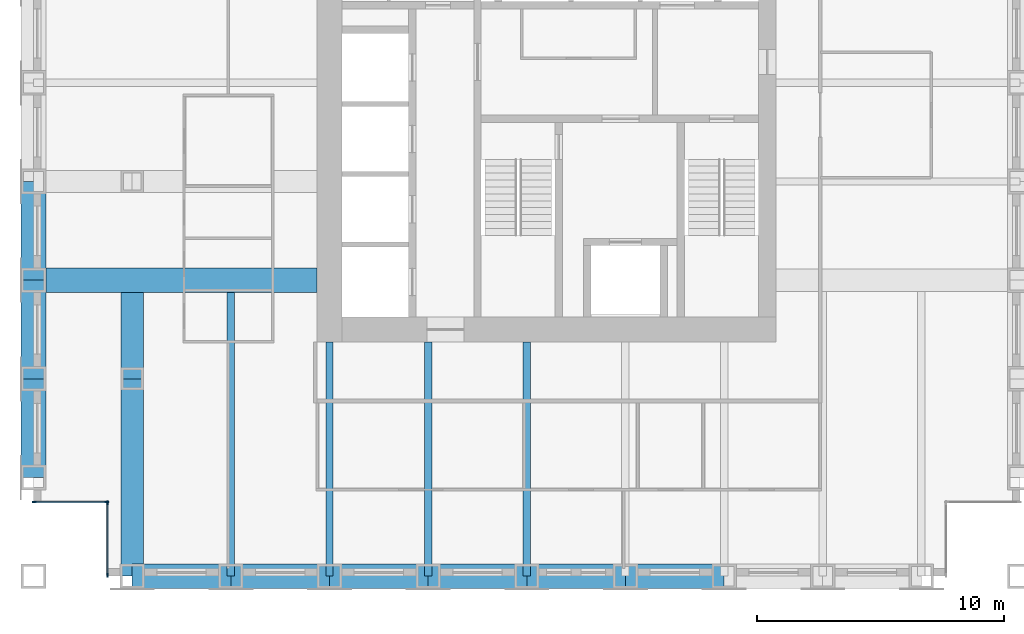
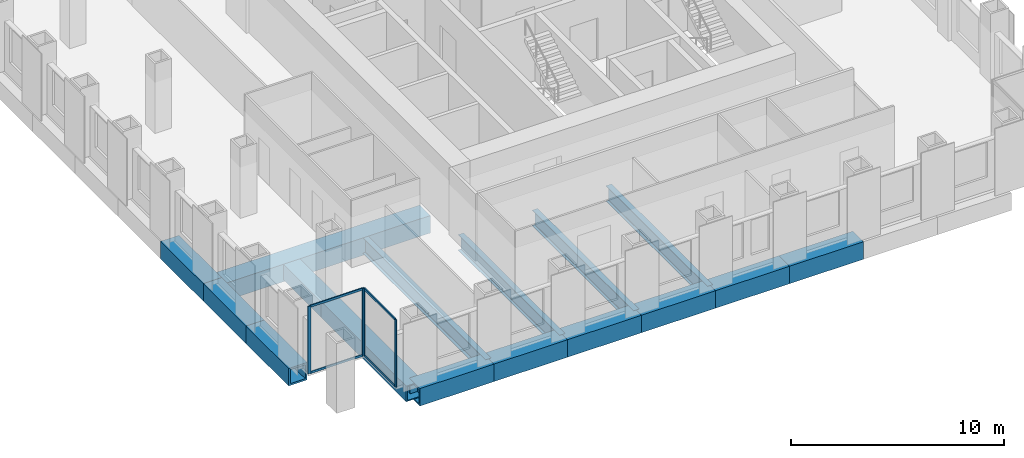
# One storey, part 2 of 13: 16 beams, 8 members, 2 elements without a shape of their own.
"""IFC4 building model written with IfcOpenShell, lengths in metres."""

from ifc_helpers import new_model, si_unit, direction, frame, origin, origin_2d, place, context, subcontext, project, spatial, rectangle, hollow_rectangle, i_section, extrude, material, material_profile, profile_set, type_object, element, aggregate, save


model = new_model("IFC4")

# Units and contexts
model_context = context("Model", 3, precision=1e-05, world=origin(), true_north=direction((0.0, 1.0)))
body_context = subcontext(model_context, "Body", "Model", "MODEL_VIEW")
ifc_project = project(units=[si_unit("LENGTHUNIT", "METRE"), si_unit("AREAUNIT", "SQUARE_METRE"), si_unit("VOLUMEUNIT", "CUBIC_METRE"), si_unit("PLANEANGLEUNIT", "RADIAN"), si_unit("MASSUNIT", "GRAM", prefix="KILO")], contexts=[model_context])

# Site, building, storey
site_placement = place(None, origin())
site = spatial("IfcSite", under=ifc_project, at=site_placement, CompositionType="ELEMENT")
building_placement = place(site_placement, origin())
building = spatial("IfcBuilding", under=site, at=building_placement, Name="Rimbunsela Tower", CompositionType="ELEMENT")
storey_placement = place(building_placement, frame((0.0, 0.0, 187.800048828125)))
storey = spatial("IfcBuildingStorey", under=building, at=storey_placement, Name="L45", CompositionType="ELEMENT", Elevation=187.800048828125)

# Beams
ifc_material_1 = material(Name="Steel BJ 55 (fy 410 MPa)", Category="steel")
ifc_material_profile_1 = material_profile(ifc_material_1, hollow_rectangle(XDim=1.0, YDim=1.0, WallThickness=0.10009765625, at=origin_2d()), Name="BOX 1000x1000x100")
ifc_profile_set_1 = profile_set([ifc_material_profile_1], Name="Steel BJ 55 (fy 410 MPa)")
beam_type_1 = type_object("IfcBeamType", Name="Beam BOX 1000x1000x100", PredefinedType="BEAM", material=ifc_profile_set_1)
for number, where, z_axis, x_axis, name in (
    (1, (6.0, 12.0, -0.650146484375), (0.0, 1.0, 0.0), (-1.0, 0.0, 0.0), "Beam B3 L45"),
    (2, (6.0, 16.0, -0.650146484375), (0.0, 1.0, 0.0), (-1.0, 0.0, 0.0), "Beam B3 L45"),
    (3, (6.0, 20.0, -0.650146484375), (0.0, 1.0, 0.0), (-1.0, 0.0, 0.0), "Beam B3 L45"),
):
    element("IfcBeam", number, at=place(storey_placement, frame(where, z_axis=z_axis, x_axis=x_axis)), inside=storey, type_object=beam_type_1, Name=name, PredefinedType="BEAM", context=body_context, shape_type="SweptSolid", body=[
        extrude(hollow_rectangle(XDim=1.0, YDim=1.0, WallThickness=0.10009765625, at=origin_2d()), origin(), (0.0, 0.0, 1.0), 4.0),
    ])
beam_1_placement = place(storey_placement, frame((6.0, 20.0, -0.650146484375), z_axis=(1.0, 0.0, 0.0), x_axis=(0.0, 1.0, 0.0)))
element("IfcBeam", 4, at=beam_1_placement, inside=storey, type_object=beam_type_1, Name="Beam B3 L45", PredefinedType="BEAM", context=body_context, shape_type="SweptSolid", body=[
    extrude(hollow_rectangle(XDim=1.0, YDim=1.0, WallThickness=0.10009765625, at=origin_2d()), origin(), (0.0, 0.0, 1.0), 11.5),
])
for number, where, z_axis, x_axis, name in (
    (5, (10.0, 8.0, -0.650146484375), (1.0, 0.0, 0.0), (0.0, 1.0, 0.0), "Beam B3 L45"),
    (6, (14.0, 8.0, -0.650146484375), (1.0, 0.0, 0.0), (0.0, 1.0, 0.0), "Beam B3 L45"),
    (7, (18.0, 8.0, -0.650146484375), (1.0, 0.0, 0.0), (0.0, 1.0, 0.0), "Beam B3 L45"),
    (8, (22.0, 8.0, -0.650146484375), (1.0, 0.0, 0.0), (0.0, 1.0, 0.0), "Beam B3 L45"),
    (9, (26.0, 8.0, -0.650146484375), (1.0, 0.0, 0.0), (0.0, 1.0, 0.0), "Beam B3 L45"),
    (10, (30.0, 8.0, -0.650146484375), (1.0, 0.0, 0.0), (0.0, 1.0, 0.0), "Beam B3 L45"),
):
    element("IfcBeam", number, at=place(storey_placement, frame(where, z_axis=z_axis, x_axis=x_axis)), inside=storey, type_object=beam_type_1, Name=name, PredefinedType="BEAM", context=body_context, shape_type="SweptSolid", body=[
        extrude(hollow_rectangle(XDim=1.0, YDim=1.0, WallThickness=0.10009765625, at=origin_2d()), origin(), (0.0, 0.0, 1.0), 4.0),
    ])
ifc_material_2 = material(Name="Steel BJ 55 (fy 410 MPa)", Category="steel")
ifc_material_profile_2 = material_profile(ifc_material_2, hollow_rectangle(XDim=0.89990234375, YDim=0.89990234375, WallThickness=0.06005859375, at=origin_2d()), Name="BOX 900x900x60")
ifc_profile_set_2 = profile_set([ifc_material_profile_2], Name="Steel BJ 55 (fy 410 MPa)")
beam_type_2 = type_object("IfcBeamType", Name="Beam BOX 900x900x60", PredefinedType="BEAM", material=ifc_profile_set_2)
beam_2_placement = place(storey_placement, frame((10.0, 8.0, -0.60009765625), z_axis=(0.0, 1.0, 0.0), x_axis=(-1.0, 0.0, 0.0)))
element("IfcBeam", 11, at=beam_2_placement, inside=storey, type_object=beam_type_2, Name="Beam B1 L45", PredefinedType="BEAM", context=body_context, shape_type="SweptSolid", body=[
    extrude(hollow_rectangle(XDim=0.89990234375, YDim=0.89990234375, WallThickness=0.06005859375, at=origin_2d()), origin(), (0.0, 0.0, 1.0), 8.0),
])
beam_3_placement = place(storey_placement, frame((10.0, 16.0, -0.60009765625), z_axis=(0.0, 1.0, 0.0), x_axis=(-1.0, 0.0, 0.0)))
element("IfcBeam", 12, at=beam_3_placement, inside=storey, type_object=beam_type_2, Name="Beam B1 L45", PredefinedType="BEAM", context=body_context, shape_type="SweptSolid", body=[
    extrude(hollow_rectangle(XDim=0.89990234375, YDim=0.89990234375, WallThickness=0.06005859375, at=origin_2d()), origin(), (0.0, 0.0, 1.0), 3.5),
])
ifc_material_3 = material(Name="Steel BJ 55 (fy 410 MPa)", Category="steel")
ifc_material_profile_3 = material_profile(ifc_material_3, i_section(OverallWidth=0.300048828125, OverallDepth=0.89990234375, WebThickness=0.01611328125, FlangeThickness=0.028076171875, FilletRadius=0.028076171875, at=origin_2d()), Name="H 900x300x16x28")
ifc_profile_set_3 = profile_set([ifc_material_profile_3], Name="Steel BJ 55 (fy 410 MPa)")
beam_type_3 = type_object("IfcBeamType", Name="Beam H 900x300x16x28", PredefinedType="BEAM", material=ifc_profile_set_3)
beam_4_placement = place(storey_placement, frame((14.0, 8.0, -0.60009765625), z_axis=(0.0, 1.0, 0.0), x_axis=(-1.0, 0.0, 0.0)))
element("IfcBeam", 13, at=beam_4_placement, inside=storey, type_object=beam_type_3, Name="Beam B2 L45", PredefinedType="BEAM", context=body_context, shape_type="SweptSolid", body=[
    extrude(i_section(OverallWidth=0.300048828125, OverallDepth=0.89990234375, WebThickness=0.01611328125, FlangeThickness=0.028076171875, FilletRadius=0.028076171875, at=origin_2d()), origin(), (0.0, 0.0, 1.0), 11.5),
])
for number, where, z_axis, x_axis, name in (
    (14, (18.0, 8.0, -0.60009765625), (0.0, 1.0, 0.0), (-1.0, 0.0, 0.0), "Beam B2 L45"),
    (15, (22.0, 8.0, -0.60009765625), (0.0, 1.0, 0.0), (-1.0, 0.0, 0.0), "Beam B2 L45"),
    (16, (26.0, 8.0, -0.60009765625), (0.0, 1.0, 0.0), (-1.0, 0.0, 0.0), "Beam B2 L45"),
):
    element("IfcBeam", number, at=place(storey_placement, frame(where, z_axis=z_axis, x_axis=x_axis)), inside=storey, type_object=beam_type_3, Name=name, PredefinedType="BEAM", context=body_context, shape_type="SweptSolid", body=[
        extrude(i_section(OverallWidth=0.300048828125, OverallDepth=0.89990234375, WebThickness=0.01611328125, FlangeThickness=0.028076171875, FilletRadius=0.028076171875, at=origin_2d()), origin(), (0.0, 0.0, 1.0), 9.5),
    ])

# Curtain wall, members
ifc_material_4 = material(Name="Aluminium curtain wall", Category="aluminium")
curtain_wall_type = type_object("IfcCurtainWallType", Name="Corner glazing", PredefinedType="USERDEFINED", material=ifc_material_4)
curtain_wall_1_placement = place(storey_placement, origin())
curtain_wall_1 = element("IfcCurtainWall", 17, at=curtain_wall_1_placement, inside=storey, type_object=curtain_wall_type, Name="Corner glazing L45", ObjectType="CORNER GLAZING", PredefinedType="USERDEFINED")
ifc_material_5 = material(Name="Aluminium mullion", Category="aluminium")
ifc_material_profile_4 = material_profile(ifc_material_5, rectangle(XDim=0.06005859375, YDim=0.159912109375, at=origin_2d()), Name="Mullion 60x160")
ifc_profile_set_4 = profile_set([ifc_material_profile_4], Name="Aluminium mullion")
member_type_1 = type_object("IfcMemberType", Name="Curtain wall mullion 60x160", PredefinedType="MULLION", material=ifc_profile_set_4)
member_1_placement = place(storey_placement, frame((6.030029296875, 11.0, 0.0), z_axis=(0.0, 0.0, 1.0), x_axis=(0.0, 1.0, 0.0)))
member_1 = element("IfcMember", 18, at=member_1_placement, type_object=member_type_1, Name="CW5 mullion 1", PredefinedType="MULLION", context=body_context, shape_type="SweptSolid", body=[
    extrude(rectangle(XDim=0.06005859375, YDim=0.159912109375, at=origin_2d()), origin(), (0.0, 0.0, 1.0), 3.849853515625),
])
member_2_placement = place(storey_placement, frame((8.969970703125, 11.0, 0.0), z_axis=(0.0, 0.0, 1.0), x_axis=(0.0, 1.0, 0.0)))
member_2 = element("IfcMember", 19, at=member_2_placement, type_object=member_type_1, Name="CW5 mullion 2", PredefinedType="MULLION", context=body_context, shape_type="SweptSolid", body=[
    extrude(rectangle(XDim=0.06005859375, YDim=0.159912109375, at=origin_2d()), origin(), (0.0, 0.0, 1.0), 3.849853515625),
])

curtain_wall_2_placement = place(storey_placement, origin())
curtain_wall_2 = element("IfcCurtainWall", 20, at=curtain_wall_2_placement, inside=storey, type_object=curtain_wall_type, Name="Corner glazing L45", ObjectType="CORNER GLAZING", PredefinedType="USERDEFINED")
member_3_placement = place(storey_placement, frame((9.0, 10.969970703125, 0.0), z_axis=(0.0, 0.0, 1.0), x_axis=(1.0, 0.0, 0.0)))
member_3 = element("IfcMember", 21, at=member_3_placement, type_object=member_type_1, Name="CW5 mullion 1", PredefinedType="MULLION", context=body_context, shape_type="SweptSolid", body=[
    extrude(rectangle(XDim=0.06005859375, YDim=0.159912109375, at=origin_2d()), origin(), (0.0, 0.0, 1.0), 3.849853515625),
])
member_4_placement = place(storey_placement, frame((9.0, 8.030029296875, 0.0), z_axis=(0.0, 0.0, 1.0), x_axis=(1.0, 0.0, 0.0)))
member_4 = element("IfcMember", 22, at=member_4_placement, type_object=member_type_1, Name="CW5 mullion 2", PredefinedType="MULLION", context=body_context, shape_type="SweptSolid", body=[
    extrude(rectangle(XDim=0.06005859375, YDim=0.159912109375, at=origin_2d()), origin(), (0.0, 0.0, 1.0), 3.849853515625),
])

# Member
ifc_material_6 = material(Name="Aluminium transom", Category="aluminium")
ifc_material_profile_5 = material_profile(ifc_material_6, rectangle(XDim=0.06005859375, YDim=0.1201171875, at=origin_2d()), Name="Transom 60x120")
ifc_profile_set_5 = profile_set([ifc_material_profile_5], Name="Aluminium transom")
member_type_2 = type_object("IfcMemberType", Name="Curtain wall transom 60x120", PredefinedType="USERDEFINED", material=ifc_profile_set_5)
member_5_placement = place(storey_placement, frame((6.06005859375, 11.0, 0.030029296875), z_axis=(1.0, 0.0, 0.0), x_axis=(0.0, 1.0, 0.0)))
member_5 = element("IfcMember", 23, at=member_5_placement, type_object=member_type_2, Name="CW5 transom 1.1", ObjectType="TRANSOM", PredefinedType="USERDEFINED", context=body_context, shape_type="SweptSolid", body=[
    extrude(rectangle(XDim=0.06005859375, YDim=0.1201171875, at=origin_2d()), origin(), (0.0, 0.0, 1.0), 2.8798828125),
])

member_6_placement = place(storey_placement, frame((6.06005859375, 11.0, 3.820068359375), z_axis=(1.0, 0.0, 0.0), x_axis=(0.0, 1.0, 0.0)))
member_6 = element("IfcMember", 24, at=member_6_placement, type_object=member_type_2, Name="CW5 transom 1.2", ObjectType="TRANSOM", PredefinedType="USERDEFINED", context=body_context, shape_type="SweptSolid", body=[
    extrude(rectangle(XDim=0.06005859375, YDim=0.1201171875, at=origin_2d()), origin(), (0.0, 0.0, 1.0), 2.8798828125),
])

aggregate(curtain_wall_1, [member_1, member_2, member_5, member_6])

member_7_placement = place(storey_placement, frame((9.0, 10.93994140625, 0.030029296875), z_axis=(0.0, -1.0, 0.0), x_axis=(1.0, 0.0, 0.0)))
member_7 = element("IfcMember", 25, at=member_7_placement, type_object=member_type_2, Name="CW5 transom 1.1", ObjectType="TRANSOM", PredefinedType="USERDEFINED", context=body_context, shape_type="SweptSolid", body=[
    extrude(rectangle(XDim=0.06005859375, YDim=0.1201171875, at=origin_2d()), origin(), (0.0, 0.0, 1.0), 2.8798828125),
])

member_8_placement = place(storey_placement, frame((9.0, 10.93994140625, 3.820068359375), z_axis=(0.0, -1.0, 0.0), x_axis=(1.0, 0.0, 0.0)))
member_8 = element("IfcMember", 26, at=member_8_placement, type_object=member_type_2, Name="CW5 transom 1.2", ObjectType="TRANSOM", PredefinedType="USERDEFINED", context=body_context, shape_type="SweptSolid", body=[
    extrude(rectangle(XDim=0.06005859375, YDim=0.1201171875, at=origin_2d()), origin(), (0.0, 0.0, 1.0), 2.8798828125),
])

aggregate(curtain_wall_2, [member_3, member_4, member_7, member_8])

save(model, "model.ifc")
